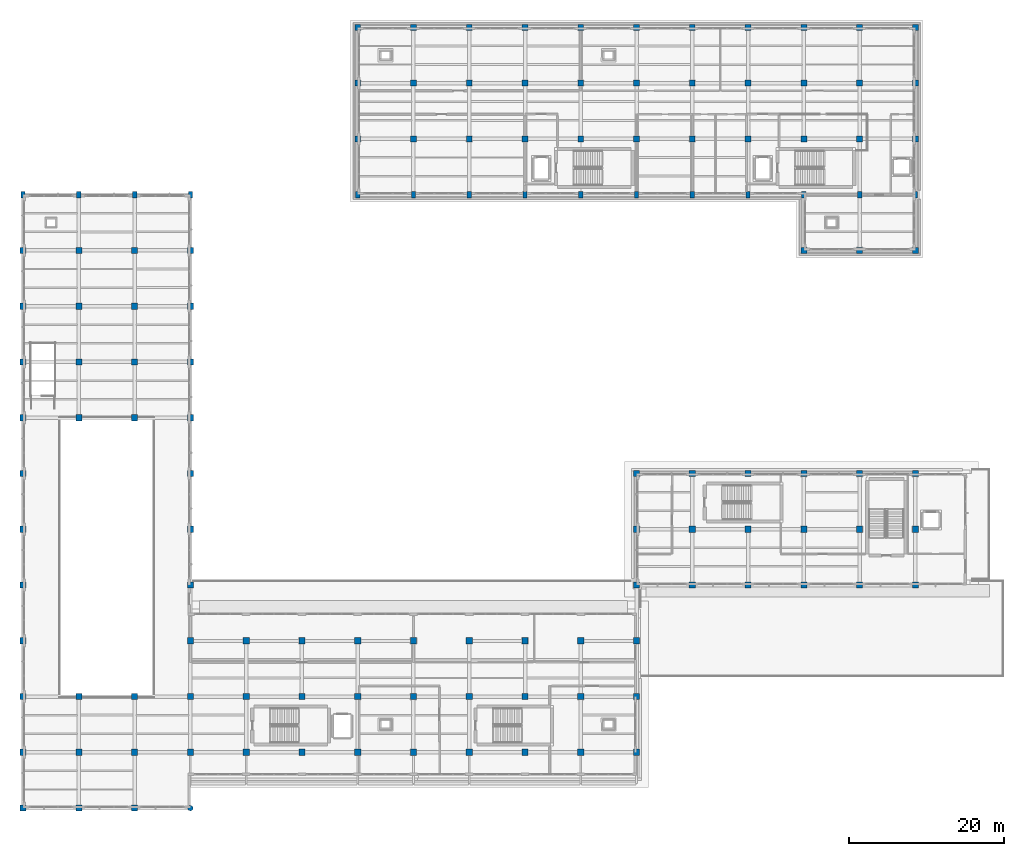
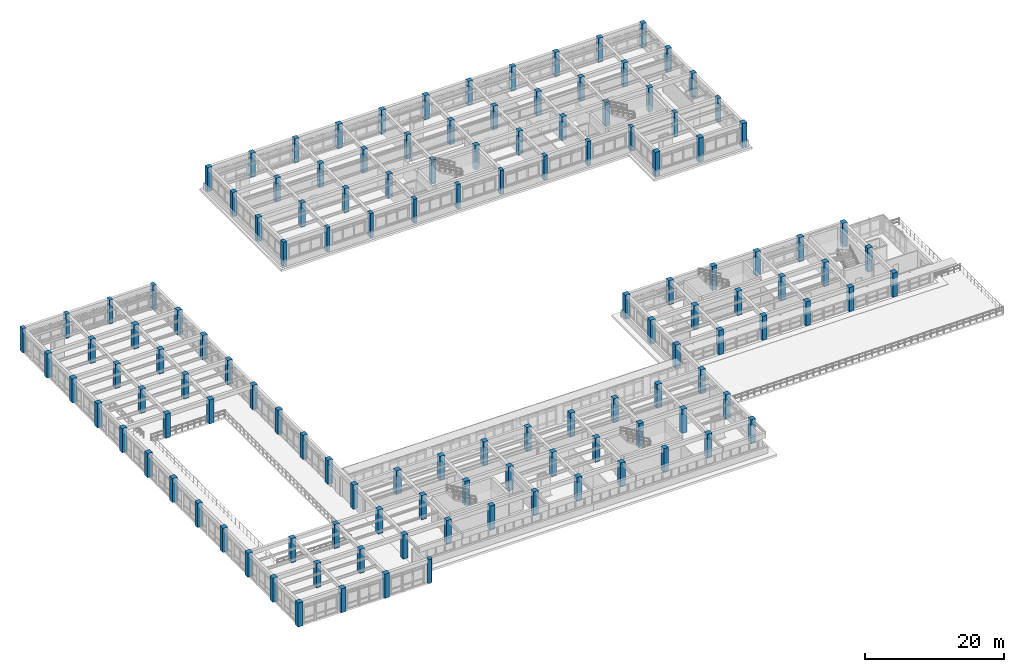
# One storey, part 1 of 67: 129 columns.
"""IFC4 building model written with IfcOpenShell, lengths in metres."""

from ifc_helpers import new_model, si_unit, direction, frame, origin, origin_2d, place, context, subcontext, project, spatial, rectangle, circle, extrude, material, material_profile, profile_set, type_object, element, save


model = new_model("IFC4")

# Units and contexts
model_context = context("Model", 3, precision=1e-05, world=origin(), true_north=direction((0.0, 1.0)))
body_context = subcontext(model_context, "Body", "Model", "MODEL_VIEW")
ifc_project = project(units=[si_unit("LENGTHUNIT", "METRE"), si_unit("AREAUNIT", "SQUARE_METRE"), si_unit("VOLUMEUNIT", "CUBIC_METRE"), si_unit("PLANEANGLEUNIT", "RADIAN"), si_unit("MASSUNIT", "GRAM", prefix="KILO")], contexts=[model_context])

# Site, building, storey
site_placement = place(None, origin())
site = spatial("IfcSite", under=ifc_project, at=site_placement, CompositionType="ELEMENT")
building_placement = place(site_placement, origin())
building = spatial("IfcBuilding", under=site, at=building_placement, Name="Solenvale Faculty of Natural Sciences", CompositionType="ELEMENT")
storey_placement = place(building_placement, frame((0.0, 0.0, 13.5)))
storey = spatial("IfcBuildingStorey", under=building, at=storey_placement, Name="L03", CompositionType="ELEMENT", Elevation=13.5)

# Columns
ifc_material_1 = material(Name="Concrete 50 MPa", Category="concrete")
ifc_material_profile_1 = material_profile(ifc_material_1, rectangle(XDim=0.550048828125, YDim=0.800048828125, at=origin_2d()), Name="RC-COL-550x800")
ifc_profile_set_1 = profile_set([ifc_material_profile_1], Name="Concrete 50 MPa")
column_type_1 = type_object("IfcColumnType", Name="COL-RC-550x800", PredefinedType="COLUMN", material=ifc_profile_set_1)
for number, where, z_axis, x_axis, name in (
    (1, (36.0, 93.60009765625, 0.0), (0.0, 0.0, 1.0), (1.0, 0.0, 0.0), "L03 Column (36.0, 93.6)"),
    (2, (43.199951171875, 93.60009765625, 0.0), (0.0, 0.0, 1.0), (1.0, 0.0, 0.0), "L03 Column (43.2, 93.6)"),
    (3, (50.39990234375, 93.60009765625, 0.0), (0.0, 0.0, 1.0), (1.0, 0.0, 0.0), "L03 Column (50.4, 93.6)"),
    (4, (57.60009765625, 93.60009765625, 0.0), (0.0, 0.0, 1.0), (1.0, 0.0, 0.0), "L03 Column (57.6, 93.6)"),
    (5, (79.199951171875, 93.60009765625, 0.0), (0.0, 0.0, 1.0), (1.0, 0.0, 0.0), "L03 Column (79.2, 93.6)"),
    (6, (86.39990234375, 93.60009765625, 0.0), (0.0, 0.0, 1.0), (1.0, 0.0, 0.0), "L03 Column (86.4, 93.6)"),
    (7, (93.60009765625, 93.60009765625, 0.0), (0.0, 0.0, 1.0), (1.0, 0.0, 0.0), "L03 Column (93.6, 93.6)"),
    (8, (100.800048828125, 93.60009765625, 0.0), (0.0, 0.0, 1.0), (1.0, 0.0, 0.0), "L03 Column (100.8, 93.6)"),
    (9, (108.0, 93.60009765625, 0.0), (0.0, 0.0, 1.0), (1.0, 0.0, 0.0), "L03 Column (108.0, 93.6)"),
    (10, (115.199951171875, 93.60009765625, 0.0), (0.0, 0.0, 1.0), (1.0, 0.0, 0.0), "L03 Column (115.2, 93.6)"),
    (11, (122.39990234375, 93.60009765625, 0.0), (0.0, 0.0, 1.0), (1.0, 0.0, 0.0), "L03 Column (122.4, 93.6)"),
    (12, (129.60009765625, 93.60009765625, 0.0), (0.0, 0.0, 1.0), (1.0, 0.0, 0.0), "L03 Column (129.6, 93.6)"),
    (13, (136.800048828125, 93.60009765625, 0.0), (0.0, 0.0, 1.0), (1.0, 0.0, 0.0), "L03 Column (136.8, 93.6)"),
    (14, (144.0, 93.60009765625, 0.0), (0.0, 0.0, 1.0), (1.0, 0.0, 0.0), "L03 Column (144.0, 93.6)"),
    (15, (151.199951171875, 93.60009765625, 0.0), (0.0, 0.0, 1.0), (1.0, 0.0, 0.0), "L03 Column (151.2, 93.6)"),
):
    element("IfcColumn", number, at=place(storey_placement, frame(where, z_axis=z_axis, x_axis=x_axis)), inside=storey, type_object=column_type_1, Name=name, PredefinedType="COLUMN", context=body_context, shape_type="SweptSolid", body=[
        extrude(rectangle(XDim=0.550048828125, YDim=0.800048828125, at=origin_2d()), origin(), (0.0, 0.0, 1.0), 4.219970703125),
    ])
ifc_material_profile_2 = material_profile(ifc_material_1, rectangle(XDim=0.75, YDim=0.75, at=origin_2d()), Name="RC-COL-750x750")
ifc_profile_set_2 = profile_set([ifc_material_profile_2], Name="Concrete 50 MPa")
column_type_2 = type_object("IfcColumnType", Name="COL-RC-750", PredefinedType="COLUMN", material=ifc_profile_set_2)
for number, where, z_axis, x_axis, name in (
    (16, (79.199951171875, 100.800048828125, 0.0), (0.0, 0.0, 1.0), (1.0, 0.0, 0.0), "L03 Column (79.2, 100.8)"),
    (17, (79.199951171875, 108.0, 0.0), (0.0, 0.0, 1.0), (1.0, 0.0, 0.0), "L03 Column (79.2, 108.0)"),
    (18, (79.199951171875, 115.199951171875, 0.0), (0.0, 0.0, 1.0), (1.0, 0.0, 0.0), "L03 Column (79.2, 115.2)"),
    (19, (86.39990234375, 100.800048828125, 0.0), (0.0, 0.0, 1.0), (1.0, 0.0, 0.0), "L03 Column (86.4, 100.8)"),
    (20, (86.39990234375, 108.0, 0.0), (0.0, 0.0, 1.0), (1.0, 0.0, 0.0), "L03 Column (86.4, 108.0)"),
    (21, (86.39990234375, 115.199951171875, 0.0), (0.0, 0.0, 1.0), (1.0, 0.0, 0.0), "L03 Column (86.4, 115.2)"),
    (22, (93.60009765625, 100.800048828125, 0.0), (0.0, 0.0, 1.0), (1.0, 0.0, 0.0), "L03 Column (93.6, 100.8)"),
    (23, (93.60009765625, 108.0, 0.0), (0.0, 0.0, 1.0), (1.0, 0.0, 0.0), "L03 Column (93.6, 108.0)"),
    (24, (93.60009765625, 115.199951171875, 0.0), (0.0, 0.0, 1.0), (1.0, 0.0, 0.0), "L03 Column (93.6, 115.2)"),
    (25, (100.800048828125, 100.800048828125, 0.0), (0.0, 0.0, 1.0), (1.0, 0.0, 0.0), "L03 Column (100.8, 100.8)"),
    (26, (100.800048828125, 108.0, 0.0), (0.0, 0.0, 1.0), (1.0, 0.0, 0.0), "L03 Column (100.8, 108.0)"),
    (27, (100.800048828125, 115.199951171875, 0.0), (0.0, 0.0, 1.0), (1.0, 0.0, 0.0), "L03 Column (100.8, 115.2)"),
    (28, (108.0, 100.800048828125, 0.0), (0.0, 0.0, 1.0), (1.0, 0.0, 0.0), "L03 Column (108.0, 100.8)"),
    (29, (108.0, 108.0, 0.0), (0.0, 0.0, 1.0), (1.0, 0.0, 0.0), "L03 Column (108.0, 108.0)"),
    (30, (108.0, 115.199951171875, 0.0), (0.0, 0.0, 1.0), (1.0, 0.0, 0.0), "L03 Column (108.0, 115.2)"),
    (31, (115.199951171875, 100.800048828125, 0.0), (0.0, 0.0, 1.0), (1.0, 0.0, 0.0), "L03 Column (115.2, 100.8)"),
    (32, (115.199951171875, 108.0, 0.0), (0.0, 0.0, 1.0), (1.0, 0.0, 0.0), "L03 Column (115.2, 108.0)"),
    (33, (115.199951171875, 115.199951171875, 0.0), (0.0, 0.0, 1.0), (1.0, 0.0, 0.0), "L03 Column (115.2, 115.2)"),
    (34, (122.39990234375, 100.800048828125, 0.0), (0.0, 0.0, 1.0), (1.0, 0.0, 0.0), "L03 Column (122.4, 100.8)"),
    (35, (122.39990234375, 108.0, 0.0), (0.0, 0.0, 1.0), (1.0, 0.0, 0.0), "L03 Column (122.4, 108.0)"),
    (36, (122.39990234375, 115.199951171875, 0.0), (0.0, 0.0, 1.0), (1.0, 0.0, 0.0), "L03 Column (122.4, 115.2)"),
    (37, (129.60009765625, 100.800048828125, 0.0), (0.0, 0.0, 1.0), (1.0, 0.0, 0.0), "L03 Column (129.6, 100.8)"),
    (38, (129.60009765625, 108.0, 0.0), (0.0, 0.0, 1.0), (1.0, 0.0, 0.0), "L03 Column (129.6, 108.0)"),
    (39, (129.60009765625, 115.199951171875, 0.0), (0.0, 0.0, 1.0), (1.0, 0.0, 0.0), "L03 Column (129.6, 115.2)"),
    (40, (136.800048828125, 100.800048828125, 0.0), (0.0, 0.0, 1.0), (1.0, 0.0, 0.0), "L03 Column (136.8, 100.8)"),
    (41, (136.800048828125, 108.0, 0.0), (0.0, 0.0, 1.0), (1.0, 0.0, 0.0), "L03 Column (136.8, 108.0)"),
    (42, (136.800048828125, 115.199951171875, 0.0), (0.0, 0.0, 1.0), (1.0, 0.0, 0.0), "L03 Column (136.8, 115.2)"),
    (43, (144.0, 100.800048828125, 0.0), (0.0, 0.0, 1.0), (1.0, 0.0, 0.0), "L03 Column (144.0, 100.8)"),
    (44, (144.0, 108.0, 0.0), (0.0, 0.0, 1.0), (1.0, 0.0, 0.0), "L03 Column (144.0, 108.0)"),
    (45, (144.0, 115.199951171875, 0.0), (0.0, 0.0, 1.0), (1.0, 0.0, 0.0), "L03 Column (144.0, 115.2)"),
    (46, (151.199951171875, 100.800048828125, 0.0), (0.0, 0.0, 1.0), (1.0, 0.0, 0.0), "L03 Column (151.2, 100.8)"),
    (47, (151.199951171875, 108.0, 0.0), (0.0, 0.0, 1.0), (1.0, 0.0, 0.0), "L03 Column (151.2, 108.0)"),
    (48, (151.199951171875, 115.199951171875, 0.0), (0.0, 0.0, 1.0), (1.0, 0.0, 0.0), "L03 Column (151.2, 115.2)"),
):
    element("IfcColumn", number, at=place(storey_placement, frame(where, z_axis=z_axis, x_axis=x_axis)), inside=storey, type_object=column_type_2, Name=name, PredefinedType="COLUMN", context=body_context, shape_type="SweptSolid", body=[
        extrude(rectangle(XDim=0.75, YDim=0.75, at=origin_2d()), origin(), (0.0, 0.0, 1.0), 4.219970703125),
    ])
ifc_material_profile_3 = material_profile(ifc_material_1, rectangle(XDim=0.800048828125, YDim=0.800048828125, at=origin_2d()), Name="RC-COL-800x800")
ifc_profile_set_3 = profile_set([ifc_material_profile_3], Name="Concrete 50 MPa")
column_type_3 = type_object("IfcColumnType", Name="COL-RC-800", PredefinedType="COLUMN", material=ifc_profile_set_3)
for number, where, z_axis, x_axis, name in (
    (49, (36.0, 14.39990234375, 0.0), (0.0, 0.0, 1.0), (1.0, 0.0, 0.0), "L03 Column (36.0, 14.4)"),
    (50, (36.0, 21.60009765625, 0.0), (0.0, 0.0, 1.0), (1.0, 0.0, 0.0), "L03 Column (36.0, 21.6)"),
    (51, (36.0, 28.800048828125, 0.0), (0.0, 0.0, 1.0), (1.0, 0.0, 0.0), "L03 Column (36.0, 28.8)"),
    (52, (36.0, 36.0, 0.0), (0.0, 0.0, 1.0), (1.0, 0.0, 0.0), "L03 Column (36.0, 36.0)"),
    (53, (36.0, 43.199951171875, 0.0), (0.0, 0.0, 1.0), (1.0, 0.0, 0.0), "L03 Column (36.0, 43.2)"),
    (54, (36.0, 50.39990234375, 0.0), (0.0, 0.0, 1.0), (1.0, 0.0, 0.0), "L03 Column (36.0, 50.4)"),
    (55, (36.0, 57.60009765625, 0.0), (0.0, 0.0, 1.0), (1.0, 0.0, 0.0), "L03 Column (36.0, 57.6)"),
    (56, (36.0, 64.800048828125, 0.0), (0.0, 0.0, 1.0), (1.0, 0.0, 0.0), "L03 Column (36.0, 64.8)"),
    (57, (36.0, 72.0, 0.0), (0.0, 0.0, 1.0), (1.0, 0.0, 0.0), "L03 Column (36.0, 72.0)"),
    (58, (36.0, 79.199951171875, 0.0), (0.0, 0.0, 1.0), (1.0, 0.0, 0.0), "L03 Column (36.0, 79.2)"),
    (59, (36.0, 86.39990234375, 0.0), (0.0, 0.0, 1.0), (1.0, 0.0, 0.0), "L03 Column (36.0, 86.4)"),
    (60, (43.199951171875, 14.39990234375, 0.0), (0.0, 0.0, 1.0), (1.0, 0.0, 0.0), "L03 Column (43.2, 14.4)"),
    (61, (43.199951171875, 21.60009765625, 0.0), (0.0, 0.0, 1.0), (1.0, 0.0, 0.0), "L03 Column (43.2, 21.6)"),
    (62, (43.199951171875, 28.800048828125, 0.0), (0.0, 0.0, 1.0), (1.0, 0.0, 0.0), "L03 Column (43.2, 28.8)"),
    (63, (43.199951171875, 64.800048828125, 0.0), (0.0, 0.0, 1.0), (1.0, 0.0, 0.0), "L03 Column (43.2, 64.8)"),
    (64, (43.199951171875, 72.0, 0.0), (0.0, 0.0, 1.0), (1.0, 0.0, 0.0), "L03 Column (43.2, 72.0)"),
    (65, (43.199951171875, 79.199951171875, 0.0), (0.0, 0.0, 1.0), (1.0, 0.0, 0.0), "L03 Column (43.2, 79.2)"),
    (66, (43.199951171875, 86.39990234375, 0.0), (0.0, 0.0, 1.0), (1.0, 0.0, 0.0), "L03 Column (43.2, 86.4)"),
    (67, (50.39990234375, 14.39990234375, 0.0), (0.0, 0.0, 1.0), (1.0, 0.0, 0.0), "L03 Column (50.4, 14.4)"),
    (68, (50.39990234375, 21.60009765625, 0.0), (0.0, 0.0, 1.0), (1.0, 0.0, 0.0), "L03 Column (50.4, 21.6)"),
    (69, (50.39990234375, 28.800048828125, 0.0), (0.0, 0.0, 1.0), (1.0, 0.0, 0.0), "L03 Column (50.4, 28.8)"),
    (70, (50.39990234375, 64.800048828125, 0.0), (0.0, 0.0, 1.0), (1.0, 0.0, 0.0), "L03 Column (50.4, 64.8)"),
    (71, (50.39990234375, 72.0, 0.0), (0.0, 0.0, 1.0), (1.0, 0.0, 0.0), "L03 Column (50.4, 72.0)"),
    (72, (50.39990234375, 79.199951171875, 0.0), (0.0, 0.0, 1.0), (1.0, 0.0, 0.0), "L03 Column (50.4, 79.2)"),
    (73, (50.39990234375, 86.39990234375, 0.0), (0.0, 0.0, 1.0), (1.0, 0.0, 0.0), "L03 Column (50.4, 86.4)"),
    (74, (57.60009765625, 21.60009765625, 0.0), (0.0, 0.0, 1.0), (1.0, 0.0, 0.0), "L03 Column (57.6, 21.6)"),
    (75, (57.60009765625, 28.800048828125, 0.0), (0.0, 0.0, 1.0), (1.0, 0.0, 0.0), "L03 Column (57.6, 28.8)"),
    (76, (57.60009765625, 36.0, 0.0), (0.0, 0.0, 1.0), (1.0, 0.0, 0.0), "L03 Column (57.6, 36.0)"),
    (77, (57.60009765625, 43.199951171875, 0.0), (0.0, 0.0, 1.0), (1.0, 0.0, 0.0), "L03 Column (57.6, 43.2)"),
    (78, (57.60009765625, 50.39990234375, 0.0), (0.0, 0.0, 1.0), (1.0, 0.0, 0.0), "L03 Column (57.6, 50.4)"),
    (79, (57.60009765625, 57.60009765625, 0.0), (0.0, 0.0, 1.0), (1.0, 0.0, 0.0), "L03 Column (57.6, 57.6)"),
    (80, (57.60009765625, 64.800048828125, 0.0), (0.0, 0.0, 1.0), (1.0, 0.0, 0.0), "L03 Column (57.6, 64.8)"),
    (81, (57.60009765625, 72.0, 0.0), (0.0, 0.0, 1.0), (1.0, 0.0, 0.0), "L03 Column (57.6, 72.0)"),
    (82, (57.60009765625, 79.199951171875, 0.0), (0.0, 0.0, 1.0), (1.0, 0.0, 0.0), "L03 Column (57.6, 79.2)"),
    (83, (57.60009765625, 86.39990234375, 0.0), (0.0, 0.0, 1.0), (1.0, 0.0, 0.0), "L03 Column (57.6, 86.4)"),
    (84, (64.800048828125, 21.60009765625, 0.0), (0.0, 0.0, 1.0), (1.0, 0.0, 0.0), "L03 Column (64.8, 21.6)"),
    (85, (64.800048828125, 28.800048828125, 0.0), (0.0, 0.0, 1.0), (1.0, 0.0, 0.0), "L03 Column (64.8, 28.8)"),
    (86, (64.800048828125, 36.0, 0.0), (0.0, 0.0, 1.0), (1.0, 0.0, 0.0), "L03 Column (64.8, 36.0)"),
    (87, (72.0, 21.60009765625, 0.0), (0.0, 0.0, 1.0), (1.0, 0.0, 0.0), "L03 Column (72.0, 21.6)"),
    (88, (72.0, 28.800048828125, 0.0), (0.0, 0.0, 1.0), (1.0, 0.0, 0.0), "L03 Column (72.0, 28.8)"),
    (89, (72.0, 36.0, 0.0), (0.0, 0.0, 1.0), (1.0, 0.0, 0.0), "L03 Column (72.0, 36.0)"),
    (90, (79.199951171875, 21.60009765625, 0.0), (0.0, 0.0, 1.0), (1.0, 0.0, 0.0), "L03 Column (79.2, 21.6)"),
    (91, (79.199951171875, 28.800048828125, 0.0), (0.0, 0.0, 1.0), (1.0, 0.0, 0.0), "L03 Column (79.2, 28.8)"),
    (92, (79.199951171875, 36.0, 0.0), (0.0, 0.0, 1.0), (1.0, 0.0, 0.0), "L03 Column (79.2, 36.0)"),
    (93, (86.39990234375, 21.60009765625, 0.0), (0.0, 0.0, 1.0), (1.0, 0.0, 0.0), "L03 Column (86.4, 21.6)"),
    (94, (86.39990234375, 28.800048828125, 0.0), (0.0, 0.0, 1.0), (1.0, 0.0, 0.0), "L03 Column (86.4, 28.8)"),
    (95, (86.39990234375, 36.0, 0.0), (0.0, 0.0, 1.0), (1.0, 0.0, 0.0), "L03 Column (86.4, 36.0)"),
    (96, (93.60009765625, 21.60009765625, 0.0), (0.0, 0.0, 1.0), (1.0, 0.0, 0.0), "L03 Column (93.6, 21.6)"),
    (97, (93.60009765625, 28.800048828125, 0.0), (0.0, 0.0, 1.0), (1.0, 0.0, 0.0), "L03 Column (93.6, 28.8)"),
    (98, (93.60009765625, 36.0, 0.0), (0.0, 0.0, 1.0), (1.0, 0.0, 0.0), "L03 Column (93.6, 36.0)"),
    (99, (100.800048828125, 21.60009765625, 0.0), (0.0, 0.0, 1.0), (1.0, 0.0, 0.0), "L03 Column (100.8, 21.6)"),
    (100, (100.800048828125, 28.800048828125, 0.0), (0.0, 0.0, 1.0), (1.0, 0.0, 0.0), "L03 Column (100.8, 28.8)"),
    (101, (100.800048828125, 36.0, 0.0), (0.0, 0.0, 1.0), (1.0, 0.0, 0.0), "L03 Column (100.8, 36.0)"),
    (102, (108.0, 21.60009765625, 0.0), (0.0, 0.0, 1.0), (1.0, 0.0, 0.0), "L03 Column (108.0, 21.6)"),
    (103, (108.0, 28.800048828125, 0.0), (0.0, 0.0, 1.0), (1.0, 0.0, 0.0), "L03 Column (108.0, 28.8)"),
    (104, (108.0, 36.0, 0.0), (0.0, 0.0, 1.0), (1.0, 0.0, 0.0), "L03 Column (108.0, 36.0)"),
    (105, (115.199951171875, 21.60009765625, 0.0), (0.0, 0.0, 1.0), (1.0, 0.0, 0.0), "L03 Column (115.2, 21.6)"),
    (106, (115.199951171875, 28.800048828125, 0.0), (0.0, 0.0, 1.0), (1.0, 0.0, 0.0), "L03 Column (115.2, 28.8)"),
    (107, (115.199951171875, 36.0, 0.0), (0.0, 0.0, 1.0), (1.0, 0.0, 0.0), "L03 Column (115.2, 36.0)"),
    (108, (115.199951171875, 43.199951171875, 0.0), (0.0, 0.0, 1.0), (1.0, 0.0, 0.0), "L03 Column (115.2, 43.2)"),
    (109, (115.199951171875, 50.39990234375, 0.0), (0.0, 0.0, 1.0), (1.0, 0.0, 0.0), "L03 Column (115.2, 50.4)"),
    (110, (115.199951171875, 57.60009765625, 0.0), (0.0, 0.0, 1.0), (1.0, 0.0, 0.0), "L03 Column (115.2, 57.6)"),
    (111, (122.39990234375, 43.199951171875, 0.0), (0.0, 0.0, 1.0), (1.0, 0.0, 0.0), "L03 Column (122.4, 43.2)"),
    (112, (122.39990234375, 50.39990234375, 0.0), (0.0, 0.0, 1.0), (1.0, 0.0, 0.0), "L03 Column (122.4, 50.4)"),
    (113, (122.39990234375, 57.60009765625, 0.0), (0.0, 0.0, 1.0), (1.0, 0.0, 0.0), "L03 Column (122.4, 57.6)"),
    (114, (129.60009765625, 43.199951171875, 0.0), (0.0, 0.0, 1.0), (1.0, 0.0, 0.0), "L03 Column (129.6, 43.2)"),
    (115, (129.60009765625, 50.39990234375, 0.0), (0.0, 0.0, 1.0), (1.0, 0.0, 0.0), "L03 Column (129.6, 50.4)"),
    (116, (129.60009765625, 57.60009765625, 0.0), (0.0, 0.0, 1.0), (1.0, 0.0, 0.0), "L03 Column (129.6, 57.6)"),
    (117, (136.800048828125, 43.199951171875, 0.0), (0.0, 0.0, 1.0), (1.0, 0.0, 0.0), "L03 Column (136.8, 43.2)"),
    (118, (136.800048828125, 50.39990234375, 0.0), (0.0, 0.0, 1.0), (1.0, 0.0, 0.0), "L03 Column (136.8, 50.4)"),
    (119, (136.800048828125, 57.60009765625, 0.0), (0.0, 0.0, 1.0), (1.0, 0.0, 0.0), "L03 Column (136.8, 57.6)"),
    (120, (136.800048828125, 86.39990234375, 0.0), (0.0, 0.0, 1.0), (1.0, 0.0, 0.0), "L03 Column (136.8, 86.4)"),
    (121, (144.0, 43.199951171875, 0.0), (0.0, 0.0, 1.0), (1.0, 0.0, 0.0), "L03 Column (144.0, 43.2)"),
    (122, (144.0, 50.39990234375, 0.0), (0.0, 0.0, 1.0), (1.0, 0.0, 0.0), "L03 Column (144.0, 50.4)"),
    (123, (144.0, 57.60009765625, 0.0), (0.0, 0.0, 1.0), (1.0, 0.0, 0.0), "L03 Column (144.0, 57.6)"),
    (124, (144.0, 86.39990234375, 0.0), (0.0, 0.0, 1.0), (1.0, 0.0, 0.0), "L03 Column (144.0, 86.4)"),
    (125, (151.199951171875, 43.199951171875, 0.0), (0.0, 0.0, 1.0), (1.0, 0.0, 0.0), "L03 Column (151.2, 43.2)"),
    (126, (151.199951171875, 50.39990234375, 0.0), (0.0, 0.0, 1.0), (1.0, 0.0, 0.0), "L03 Column (151.2, 50.4)"),
    (127, (151.199951171875, 57.60009765625, 0.0), (0.0, 0.0, 1.0), (1.0, 0.0, 0.0), "L03 Column (151.2, 57.6)"),
    (128, (151.199951171875, 86.39990234375, 0.0), (0.0, 0.0, 1.0), (1.0, 0.0, 0.0), "L03 Column (151.2, 86.4)"),
):
    element("IfcColumn", number, at=place(storey_placement, frame(where, z_axis=z_axis, x_axis=x_axis)), inside=storey, type_object=column_type_3, Name=name, PredefinedType="COLUMN", context=body_context, shape_type="SweptSolid", body=[
        extrude(rectangle(XDim=0.800048828125, YDim=0.800048828125, at=origin_2d()), origin(), (0.0, 0.0, 1.0), 4.219970703125),
    ])
ifc_material_2 = material(Name="Architectural bronze concrete 40 MPa", Category="concrete")
ifc_material_profile_4 = material_profile(ifc_material_2, circle(Radius=0.35009765625, at=origin_2d()), Name="RC-COL-D700")
ifc_profile_set_4 = profile_set([ifc_material_profile_4], Name="Architectural bronze concrete 40 MPa")
column_type_4 = type_object("IfcColumnType", Name="COL-RC-D700", PredefinedType="COLUMN", material=ifc_profile_set_4)
column_placement = place(storey_placement, frame((57.60009765625, 14.39990234375, 0.0), z_axis=(0.0, 0.0, 1.0), x_axis=(1.0, 0.0, 0.0)))
element("IfcColumn", 129, at=column_placement, inside=storey, type_object=column_type_4, Name="L03 Column (57.6, 14.4)", PredefinedType="COLUMN", context=body_context, shape_type="SweptSolid", body=[
    extrude(circle(Radius=0.35009765625, at=origin_2d()), origin(), (0.0, 0.0, 1.0), 4.219970703125),
])

save(model, "model.ifc")
